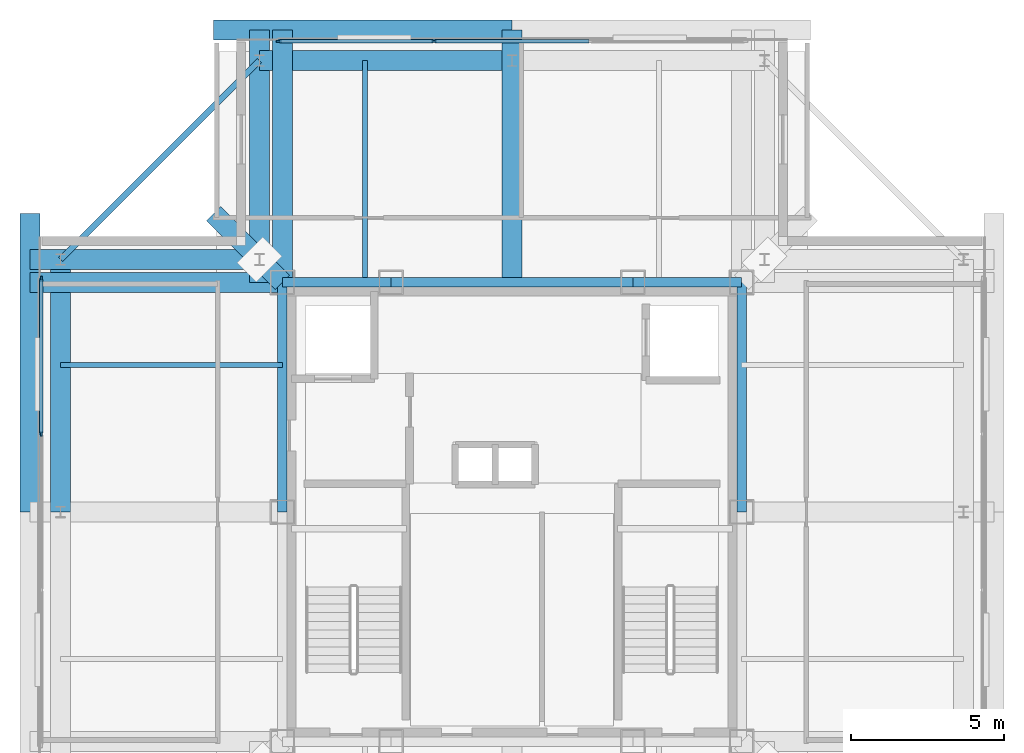
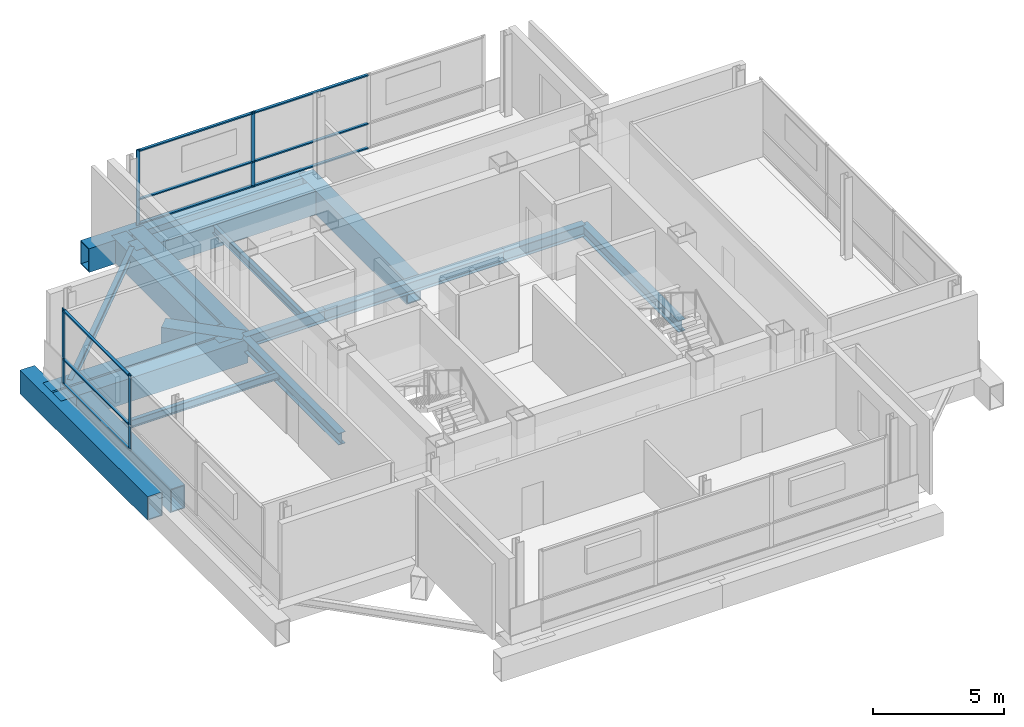
# One storey, part 4 of 10: 18 beams, 13 members, 2 elements without a shape of their own.
"""IFC4 building model written with IfcOpenShell, lengths in metres."""

from ifc_helpers import new_model, si_unit, direction, frame, origin, origin_2d, place, context, subcontext, project, spatial, rectangle, hollow_rectangle, i_section, extrude, material, layer, layer_set, material_profile, profile_set, type_object, element, aggregate, save


model = new_model("IFC4")

# Units and contexts
model_context = context("Model", 3, precision=1e-05, world=origin(), true_north=direction((0.0, 1.0)))
body_context = subcontext(model_context, "Body", "Model", "MODEL_VIEW")
ifc_project = project(units=[si_unit("LENGTHUNIT", "METRE"), si_unit("AREAUNIT", "SQUARE_METRE"), si_unit("VOLUMEUNIT", "CUBIC_METRE"), si_unit("PLANEANGLEUNIT", "RADIAN"), si_unit("MASSUNIT", "GRAM", prefix="KILO")], contexts=[model_context])

# Site, building, storey
site_placement = place(None, origin())
site = spatial("IfcSite", under=ifc_project, at=site_placement, CompositionType="ELEMENT")
building_placement = place(site_placement, origin())
building = spatial("IfcBuilding", under=site, at=building_placement, Name="Trevonay Congress Spire", CompositionType="ELEMENT")
storey_placement = place(building_placement, frame((0.0, 0.0, 316.0)))
storey = spatial("IfcBuildingStorey", under=building, at=storey_placement, Name="L83", CompositionType="ELEMENT", Elevation=316.0)

# Beams
ifc_material_1 = material(Name="Steel ASTM A572 Grade 50", Category="steel")
ifc_material_profile_1 = material_profile(ifc_material_1, i_section(OverallWidth=0.31201171875, OverallDepth=0.54296875, WebThickness=0.0126953125, FlangeThickness=0.020263671875, FilletRadius=0.014892578125, at=origin_2d()), Name="W530x150")
ifc_profile_set_1 = profile_set([ifc_material_profile_1], Name="Steel ASTM A572 Grade 50")
beam_type_1 = type_object("IfcBeamType", Name="BM-GIRD-W530X150", PredefinedType="BEAM", material=ifc_profile_set_1)
beam_1_placement = place(storey_placement, frame((-7.5, 7.5, -0.67138671875), z_axis=(1.0, 0.0, 0.0), x_axis=(0.0, 1.0, 0.0)))
element("IfcBeam", 1, at=beam_1_placement, inside=storey, type_object=beam_type_1, Name="L83 structural beam BM-L83-CR-N1", PredefinedType="BEAM", context=body_context, shape_type="SweptSolid", body=[
    extrude(i_section(OverallWidth=0.31201171875, OverallDepth=0.54296875, WebThickness=0.0126953125, FlangeThickness=0.020263671875, FilletRadius=0.014892578125, at=origin_2d()), origin(), (0.0, 0.0, 1.0), 3.550048828125),
])
beam_2_placement = place(storey_placement, frame((-3.949951171875, 7.5, -0.67138671875), z_axis=(1.0, 0.0, 0.0), x_axis=(0.0, 1.0, 0.0)))
element("IfcBeam", 2, at=beam_2_placement, inside=storey, type_object=beam_type_1, Name="L83 structural beam BM-L83-CR-N2", PredefinedType="BEAM", context=body_context, shape_type="SweptSolid", body=[
    extrude(i_section(OverallWidth=0.31201171875, OverallDepth=0.54296875, WebThickness=0.0126953125, FlangeThickness=0.020263671875, FilletRadius=0.014892578125, at=origin_2d()), origin(), (0.0, 0.0, 1.0), 7.89990234375),
])
beam_3_placement = place(storey_placement, frame((3.949951171875, 7.5, -0.67138671875), z_axis=(1.0, 0.0, 0.0), x_axis=(0.0, 1.0, 0.0)))
element("IfcBeam", 3, at=beam_3_placement, inside=storey, type_object=beam_type_1, Name="L83 structural beam BM-L83-CR-N3", PredefinedType="BEAM", context=body_context, shape_type="SweptSolid", body=[
    extrude(i_section(OverallWidth=0.31201171875, OverallDepth=0.54296875, WebThickness=0.0126953125, FlangeThickness=0.020263671875, FilletRadius=0.014892578125, at=origin_2d()), origin(), (0.0, 0.0, 1.0), 3.550048828125),
])
for number, where, z_axis, x_axis, name in (
    (4, (-7.5, 0.0, -0.67138671875), (0.0, 1.0, 0.0), (-1.0, 0.0, 0.0), "L83 structural beam BM-L83-CR-W2"),
    (5, (7.5, 0.0, -0.67138671875), (0.0, 1.0, 0.0), (-1.0, 0.0, 0.0), "L83 structural beam BM-L83-CR-E2"),
):
    element("IfcBeam", number, at=place(storey_placement, frame(where, z_axis=z_axis, x_axis=x_axis)), inside=storey, type_object=beam_type_1, Name=name, PredefinedType="BEAM", context=body_context, shape_type="SweptSolid", body=[
        extrude(i_section(OverallWidth=0.31201171875, OverallDepth=0.54296875, WebThickness=0.0126953125, FlangeThickness=0.020263671875, FilletRadius=0.014892578125, at=origin_2d()), origin(), (0.0, 0.0, 1.0), 7.5),
    ])
ifc_material_profile_2 = material_profile(ifc_material_1, hollow_rectangle(XDim=0.64990234375, YDim=1.10009765625, WallThickness=0.044921875, at=origin_2d()), Name="BOX 1100x650x45")
ifc_profile_set_2 = profile_set([ifc_material_profile_2], Name="Steel ASTM A572 Grade 50")
beam_type_2 = type_object("IfcBeamType", Name="BM-RING-BOX1100", PredefinedType="BEAM", material=ifc_profile_set_2)
for number, where, z_axis, x_axis, name in (
    (6, (-8.25, 14.75, -0.949951171875), (1.0, 0.0, 0.0), (0.0, 1.0, 0.0), "L83 structural beam BM-L83-PN1"),
    (7, (-14.75, 0.0, -0.949951171875), (0.0, 1.0, 0.0), (-1.0, 0.0, 0.0), "L83 structural beam BM-L83-PW2"),
):
    element("IfcBeam", number, at=place(storey_placement, frame(where, z_axis=z_axis, x_axis=x_axis)), inside=storey, type_object=beam_type_2, Name=name, PredefinedType="BEAM", context=body_context, shape_type="SweptSolid", body=[
        extrude(hollow_rectangle(XDim=0.64990234375, YDim=1.10009765625, WallThickness=0.044921875, at=origin_2d()), origin(), (0.0, 0.0, 1.0), 8.25),
    ])
for number, where, z_axis, x_axis, name in (
    (8, (-9.75, 15.75, -0.949951171875), (1.0, 0.0, 0.0), (0.0, 1.0, 0.0), "L83 structural beam XOUT-L83-N0"),
    (9, (-15.75, 0.0, -0.949951171875), (0.0, 1.0, 0.0), (-1.0, 0.0, 0.0), "L83 structural beam XOUT-L83-W1"),
):
    element("IfcBeam", number, at=place(storey_placement, frame(where, z_axis=z_axis, x_axis=x_axis)), inside=storey, type_object=beam_type_2, Name=name, PredefinedType="BEAM", context=body_context, shape_type="SweptSolid", body=[
        extrude(hollow_rectangle(XDim=0.64990234375, YDim=1.10009765625, WallThickness=0.044921875, at=origin_2d()), origin(), (0.0, 0.0, 1.0), 9.75),
    ])
ifc_material_profile_3 = material_profile(ifc_material_1, hollow_rectangle(XDim=0.64990234375, YDim=1.10009765625, WallThickness=0.044921875, at=origin_2d()), Name="BOX 1100x650x45")
ifc_profile_set_3 = profile_set([ifc_material_profile_3], Name="Steel ASTM A572 Grade 50")
beam_type_3 = type_object("IfcBeamType", Name="BM-XFER-BOX1100", PredefinedType="BEAM", material=ifc_profile_set_3)
beam_4_placement = place(storey_placement, frame((-7.5, 7.5, -0.949951171875), z_axis=(-0.707106781187, 0.707106781187, 0.0), x_axis=(-0.707106781187, -0.707106781187, 0.0)))
element("IfcBeam", 10, at=beam_4_placement, inside=storey, type_object=beam_type_3, Name="L83 structural beam BM-L83-CDNW", PredefinedType="BEAM", context=body_context, shape_type="SweptSolid", body=[
    extrude(hollow_rectangle(XDim=0.64990234375, YDim=1.10009765625, WallThickness=0.044921875, at=origin_2d()), origin(), (0.0, 0.0, 1.0), 3.181884765625),
])
for number, where, z_axis, x_axis, name in (
    (11, (-7.5, 7.5, -0.949951171875), (-1.0, 0.0, 0.0), (0.0, -1.0, 0.0), "L83 structural beam XSPN-L83-CX-NW"),
    (12, (-7.5, 7.5, -0.949951171875), (0.0, 1.0, 0.0), (-1.0, 0.0, 0.0), "L83 structural beam XSPN-L83-CY-NW"),
    (13, (-8.25, 7.5, -0.949951171875), (0.0, 1.0, 0.0), (-1.0, 0.0, 0.0), "L83 structural beam XFER-L83-N0"),
    (14, (0.0, 7.5, -0.949951171875), (0.0, 1.0, 0.0), (-1.0, 0.0, 0.0), "L83 structural beam XFER-L83-N1"),
    (15, (-7.5, 8.25, -0.949951171875), (-1.0, 0.0, 0.0), (0.0, -1.0, 0.0), "L83 structural beam XFER-L83-W2"),
):
    element("IfcBeam", number, at=place(storey_placement, frame(where, z_axis=z_axis, x_axis=x_axis)), inside=storey, type_object=beam_type_3, Name=name, PredefinedType="BEAM", context=body_context, shape_type="SweptSolid", body=[
        extrude(hollow_rectangle(XDim=0.64990234375, YDim=1.10009765625, WallThickness=0.044921875, at=origin_2d()), origin(), (0.0, 0.0, 1.0), 8.25),
    ])

# Curtain wall, members
ifc_material_2 = material(Name="Pale Anodised Aluminium EN AW-6063-T6", Category="aluminium")
ifc_layer = layer(ifc_material_2, 0.159912109375, Name="Pale Anodised Aluminium EN AW-6063-T6")
ifc_layer_set = layer_set([ifc_layer], Name="Pale Anodised Aluminium EN AW-6063-T6")
curtain_wall_type = type_object("IfcCurtainWallType", Name="CW-SYS06-CROWN-PALE-METAL", PredefinedType="NOTDEFINED", material=ifc_layer_set)
curtain_wall_1_placement = place(storey_placement, origin())
curtain_wall_1 = element("IfcCurtainWall", 16, at=curtain_wall_1_placement, inside=storey, type_object=curtain_wall_type, Name="L83 N unitised curtain wall", PredefinedType="NOTDEFINED")
ifc_material_profile_4 = material_profile(ifc_material_2, rectangle(XDim=0.06005859375, YDim=0.159912109375, at=origin_2d()), Name="CW-MULLION-160-ALUMINIUM")
ifc_profile_set_4 = profile_set([ifc_material_profile_4], Name="Pale Anodised Aluminium EN AW-6063-T6")
member_type_1 = type_object("IfcMemberType", Name="CW-MULLION-160-ALUMINIUM", PredefinedType="MULLION", material=ifc_profile_set_4)
member_1_placement = place(storey_placement, frame((-7.6201171875, 15.3798828125, 0.0), z_axis=(0.0, 0.0, 1.0), x_axis=(0.0, 1.0, 0.0)))
member_1 = element("IfcMember", 17, at=member_1_placement, type_object=member_type_1, Name="CW06 mullion 1", PredefinedType="MULLION", context=body_context, shape_type="SweptSolid", body=[
    extrude(rectangle(XDim=0.06005859375, YDim=0.159912109375, at=origin_2d()), origin(), (0.0, 0.0, 1.0), 3.52001953125),
])
member_2_placement = place(storey_placement, frame((-2.550048828125, 15.3798828125, 0.0), z_axis=(0.0, 0.0, 1.0), x_axis=(0.0, 1.0, 0.0)))
member_2 = element("IfcMember", 18, at=member_2_placement, type_object=member_type_1, Name="CW06 mullion 2", PredefinedType="MULLION", context=body_context, shape_type="SweptSolid", body=[
    extrude(rectangle(XDim=0.06005859375, YDim=0.159912109375, at=origin_2d()), origin(), (0.0, 0.0, 1.0), 3.52001953125),
])

curtain_wall_2_placement = place(storey_placement, origin())
curtain_wall_2 = element("IfcCurtainWall", 19, at=curtain_wall_2_placement, inside=storey, type_object=curtain_wall_type, Name="L83 W unitised curtain wall", PredefinedType="NOTDEFINED")
member_3_placement = place(storey_placement, frame((-15.3798828125, 2.550048828125, 0.0), z_axis=(0.0, 0.0, 1.0), x_axis=(-1.0, 0.0, 0.0)))
member_3 = element("IfcMember", 20, at=member_3_placement, type_object=member_type_1, Name="CW06 mullion 3", PredefinedType="MULLION", context=body_context, shape_type="SweptSolid", body=[
    extrude(rectangle(XDim=0.06005859375, YDim=0.159912109375, at=origin_2d()), origin(), (0.0, 0.0, 1.0), 3.52001953125),
])
member_4_placement = place(storey_placement, frame((-15.3798828125, 7.6201171875, 0.0), z_axis=(0.0, 0.0, 1.0), x_axis=(-1.0, 0.0, 0.0)))
member_4 = element("IfcMember", 21, at=member_4_placement, type_object=member_type_1, Name="CW06 mullion 4", PredefinedType="MULLION", context=body_context, shape_type="SweptSolid", body=[
    extrude(rectangle(XDim=0.06005859375, YDim=0.159912109375, at=origin_2d()), origin(), (0.0, 0.0, 1.0), 3.52001953125),
])

# Member
ifc_material_profile_5 = material_profile(ifc_material_2, rectangle(XDim=0.1201171875, YDim=0.06005859375, at=origin_2d()), Name="CW-TRANSOM-120-ALUMINIUM")
ifc_profile_set_5 = profile_set([ifc_material_profile_5], Name="Pale Anodised Aluminium EN AW-6063-T6")
member_type_2 = type_object("IfcMemberType", Name="CW-TRANSOM-120-ALUMINIUM", PredefinedType="USERDEFINED", material=ifc_profile_set_5)
member_5_placement = place(storey_placement, frame((-7.590087890625, 15.3798828125, 0.06005859375), z_axis=(1.0, 0.0, 0.0), x_axis=(0.0, 1.0, 0.0)))
member_5 = element("IfcMember", 22, at=member_5_placement, type_object=member_type_2, Name="CW06 transom 1.1", ObjectType="TRANSOM", PredefinedType="USERDEFINED", context=body_context, shape_type="SweptSolid", body=[
    extrude(rectangle(XDim=0.1201171875, YDim=0.06005859375, at=origin_2d()), origin(), (0.0, 0.0, 1.0), 5.010009765625),
])

member_6_placement = place(storey_placement, frame((-7.590087890625, 15.3798828125, 1.19677734375), z_axis=(1.0, 0.0, 0.0), x_axis=(0.0, 1.0, 0.0)))
member_6 = element("IfcMember", 23, at=member_6_placement, type_object=member_type_2, Name="CW06 transom 1.2", ObjectType="TRANSOM", PredefinedType="USERDEFINED", context=body_context, shape_type="SweptSolid", body=[
    extrude(rectangle(XDim=0.1201171875, YDim=0.06005859375, at=origin_2d()), origin(), (0.0, 0.0, 1.0), 5.010009765625),
])

member_7_placement = place(storey_placement, frame((-7.590087890625, 15.3798828125, 3.4599609375), z_axis=(1.0, 0.0, 0.0), x_axis=(0.0, 1.0, 0.0)))
member_7 = element("IfcMember", 24, at=member_7_placement, type_object=member_type_2, Name="CW06 transom 1.3", ObjectType="TRANSOM", PredefinedType="USERDEFINED", context=body_context, shape_type="SweptSolid", body=[
    extrude(rectangle(XDim=0.1201171875, YDim=0.06005859375, at=origin_2d()), origin(), (0.0, 0.0, 1.0), 5.010009765625),
])

member_8_placement = place(storey_placement, frame((-2.52001953125, 15.3798828125, 0.06005859375), z_axis=(1.0, 0.0, 0.0), x_axis=(0.0, 1.0, 0.0)))
member_8 = element("IfcMember", 25, at=member_8_placement, type_object=member_type_2, Name="CW06 transom 2.1", ObjectType="TRANSOM", PredefinedType="USERDEFINED", context=body_context, shape_type="SweptSolid", body=[
    extrude(rectangle(XDim=0.1201171875, YDim=0.06005859375, at=origin_2d()), origin(), (0.0, 0.0, 1.0), 5.0400390625),
])

member_9_placement = place(storey_placement, frame((-2.52001953125, 15.3798828125, 1.19677734375), z_axis=(1.0, 0.0, 0.0), x_axis=(0.0, 1.0, 0.0)))
member_9 = element("IfcMember", 26, at=member_9_placement, type_object=member_type_2, Name="CW06 transom 2.2", ObjectType="TRANSOM", PredefinedType="USERDEFINED", context=body_context, shape_type="SweptSolid", body=[
    extrude(rectangle(XDim=0.1201171875, YDim=0.06005859375, at=origin_2d()), origin(), (0.0, 0.0, 1.0), 5.0400390625),
])

member_10_placement = place(storey_placement, frame((-2.52001953125, 15.3798828125, 3.4599609375), z_axis=(1.0, 0.0, 0.0), x_axis=(0.0, 1.0, 0.0)))
member_10 = element("IfcMember", 27, at=member_10_placement, type_object=member_type_2, Name="CW06 transom 2.3", ObjectType="TRANSOM", PredefinedType="USERDEFINED", context=body_context, shape_type="SweptSolid", body=[
    extrude(rectangle(XDim=0.1201171875, YDim=0.06005859375, at=origin_2d()), origin(), (0.0, 0.0, 1.0), 5.0400390625),
])

aggregate(curtain_wall_1, [member_1, member_2, member_5, member_6, member_7, member_8, member_9, member_10])

member_11_placement = place(storey_placement, frame((-15.3798828125, 2.580078125, 0.06005859375), z_axis=(0.0, 1.0, 0.0), x_axis=(-1.0, 0.0, 0.0)))
member_11 = element("IfcMember", 28, at=member_11_placement, type_object=member_type_2, Name="CW06 transom 3.1", ObjectType="TRANSOM", PredefinedType="USERDEFINED", context=body_context, shape_type="SweptSolid", body=[
    extrude(rectangle(XDim=0.1201171875, YDim=0.06005859375, at=origin_2d()), origin(), (0.0, 0.0, 1.0), 5.010009765625),
])

member_12_placement = place(storey_placement, frame((-15.3798828125, 2.580078125, 1.19677734375), z_axis=(0.0, 1.0, 0.0), x_axis=(-1.0, 0.0, 0.0)))
member_12 = element("IfcMember", 29, at=member_12_placement, type_object=member_type_2, Name="CW06 transom 3.2", ObjectType="TRANSOM", PredefinedType="USERDEFINED", context=body_context, shape_type="SweptSolid", body=[
    extrude(rectangle(XDim=0.1201171875, YDim=0.06005859375, at=origin_2d()), origin(), (0.0, 0.0, 1.0), 5.010009765625),
])

member_13_placement = place(storey_placement, frame((-15.3798828125, 2.580078125, 3.4599609375), z_axis=(0.0, 1.0, 0.0), x_axis=(-1.0, 0.0, 0.0)))
member_13 = element("IfcMember", 30, at=member_13_placement, type_object=member_type_2, Name="CW06 transom 3.3", ObjectType="TRANSOM", PredefinedType="USERDEFINED", context=body_context, shape_type="SweptSolid", body=[
    extrude(rectangle(XDim=0.1201171875, YDim=0.06005859375, at=origin_2d()), origin(), (0.0, 0.0, 1.0), 5.010009765625),
])

aggregate(curtain_wall_2, [member_3, member_4, member_11, member_12, member_13])

# Beams
ifc_material_profile_6 = material_profile(ifc_material_1, i_section(OverallWidth=0.172119140625, OverallDepth=0.35791015625, WebThickness=0.0078125, FlangeThickness=0.01318359375, FilletRadius=0.011962890625, at=origin_2d()), Name="W360x57.8")
ifc_profile_set_6 = profile_set([ifc_material_profile_6], Name="Steel ASTM A572 Grade 50")
beam_type_4 = type_object("IfcBeamType", Name="JS-COMP-W360X57", PredefinedType="JOIST", material=ifc_profile_set_6)
for number, where, z_axis, x_axis, name in (
    (31, (-4.800048828125, 7.5, -0.5791015625), (0.0, 1.0, 0.0), (-1.0, 0.0, 0.0), "L83 structural beam JS-L83-NS-N1"),
    (32, (-14.75, 4.800048828125, -0.5791015625), (1.0, 0.0, 0.0), (0.0, 1.0, 0.0), "L83 structural beam JS-L83-EW-W3"),
):
    element("IfcBeam", number, at=place(storey_placement, frame(where, z_axis=z_axis, x_axis=x_axis)), inside=storey, type_object=beam_type_4, Name=name, PredefinedType="JOIST", context=body_context, shape_type="SweptSolid", body=[
        extrude(i_section(OverallWidth=0.172119140625, OverallDepth=0.35791015625, WebThickness=0.0078125, FlangeThickness=0.01318359375, FilletRadius=0.011962890625, at=origin_2d()), origin(), (0.0, 0.0, 1.0), 7.25),
    ])
ifc_material_profile_7 = material_profile(ifc_material_1, i_section(OverallWidth=0.205078125, OverallDepth=0.35400390625, WebThickness=0.009521484375, FlangeThickness=0.016845703125, FilletRadius=0.011962890625, at=origin_2d()), Name="W360x79")
ifc_profile_set_7 = profile_set([ifc_material_profile_7], Name="Steel ASTM A572 Grade 50")
beam_type_5 = type_object("IfcBeamType", Name="SPB-HSS350", PredefinedType="SPANDREL", material=ifc_profile_set_7)
beam_5_placement = place(storey_placement, frame((-8.25, 14.75, -0.576904296875), z_axis=(-0.707106781187, -0.707106781187, 0.0), x_axis=(0.707106781187, -0.707106781187, 0.0)))
element("IfcBeam", 33, at=beam_5_placement, inside=storey, type_object=beam_type_5, Name="L83 structural beam SPB-L83-NW", PredefinedType="SPANDREL", context=body_context, shape_type="SweptSolid", body=[
    extrude(i_section(OverallWidth=0.205078125, OverallDepth=0.35400390625, WebThickness=0.009521484375, FlangeThickness=0.016845703125, FilletRadius=0.011962890625, at=origin_2d()), origin(), (0.0, 0.0, 1.0), 9.1923828125),
])

save(model, "model.ifc")
